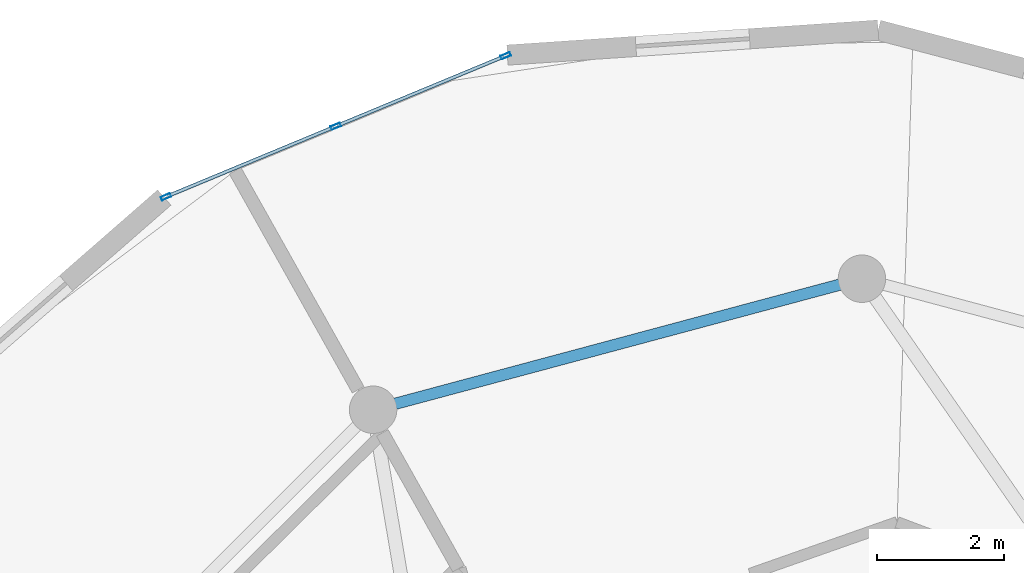
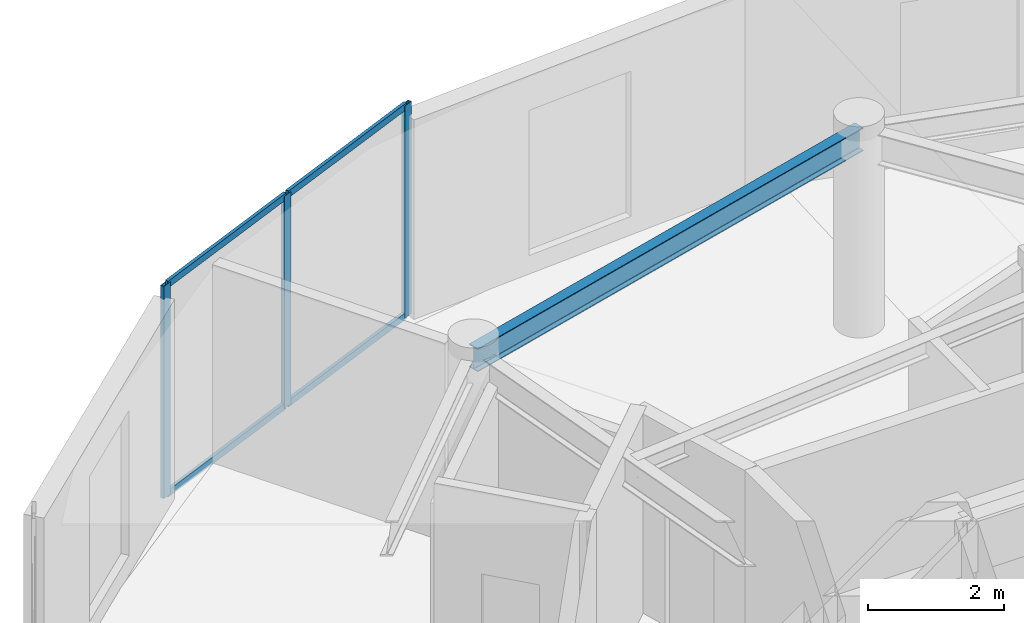
# One storey, part 14 of 22: 7 members, 1 beam, 1 element without a shape of its own.
"""IFC4 building model written with IfcOpenShell, lengths in metres."""

from ifc_helpers import new_model, si_unit, direction, frame, origin, origin_2d, place, context, subcontext, project, spatial, hollow_rectangle, i_section, extrude, source, transform, mapped, material, layer, layer_set, material_profile, profile_set, type_object, element, aggregate, save


model = new_model("IFC4")

# Units and contexts
model_context = context("Model", 3, precision=1e-05, world=origin(), true_north=direction((0.0, 1.0)))
body_context = subcontext(model_context, "Body", "Model", "MODEL_VIEW")
ifc_project = project(units=[si_unit("LENGTHUNIT", "METRE"), si_unit("AREAUNIT", "SQUARE_METRE"), si_unit("VOLUMEUNIT", "CUBIC_METRE"), si_unit("PLANEANGLEUNIT", "RADIAN"), si_unit("MASSUNIT", "GRAM", prefix="KILO")], contexts=[model_context])

# Site, building, storey
site_placement = place(None, origin())
site = spatial("IfcSite", under=ifc_project, at=site_placement, CompositionType="ELEMENT")
building_placement = place(site_placement, origin())
building = spatial("IfcBuilding", under=site, at=building_placement, Name="Solvirekh Grand Hotel", CompositionType="ELEMENT")
storey_placement = place(building_placement, frame((0.0, 0.0, 239.199951171875)))
storey = spatial("IfcBuildingStorey", under=building, at=storey_placement, Name="L62", CompositionType="ELEMENT", Elevation=239.199951171875)

# Beam
ifc_material_1 = material(Name="Steel S355", Category="steel")
ifc_material_profile_1 = material_profile(ifc_material_1, i_section(OverallWidth=0.180908203125, OverallDepth=0.4169921875, WebThickness=0.010009765625, FlangeThickness=0.01611328125, FilletRadius=0.011962890625, at=origin_2d()), Name="W410X85")
ifc_profile_set_1 = profile_set([ifc_material_profile_1], Name="Steel S355")
beam_type = type_object("IfcBeamType", Name="Spandrel_Ring_W410", PredefinedType="SPANDREL", material=ifc_profile_set_1)
beam_placement = place(storey_placement, frame((0.0, 15.449951171875, 3.362060546875), z_axis=(-0.965921616143, -0.258834757072, 0.0), x_axis=(0.258834757072, -0.965921616143, 0.0)))
element("IfcBeam", 1, at=beam_placement, inside=storey, type_object=beam_type, Name="L62 perimeter spandrel beam 4", PredefinedType="SPANDREL", context=body_context, shape_type="SweptSolid", body=[
    extrude(i_section(OverallWidth=0.180908203125, OverallDepth=0.4169921875, WebThickness=0.010009765625, FlangeThickness=0.01611328125, FilletRadius=0.011962890625, at=origin_2d()), origin(), (0.0, 0.0, 1.0), 7.99755859375),
])

# Curtain wall, members
ifc_material_2 = material(Name="Anodized Bronze Aluminium 6063-T6", Category="aluminium")
ifc_layer = layer(ifc_material_2, 0.159912109375)
ifc_layer_set = layer_set([ifc_layer], Name="Anodized Bronze Aluminium 6063-T6")
curtain_wall_type = type_object("IfcCurtainWallType", Name="CW_Sys4_HighZoneFlushBronzeCW", PredefinedType="NOTDEFINED", material=ifc_layer_set)
curtain_wall_placement = place(storey_placement, origin())
curtain_wall = element("IfcCurtainWall", 2, at=curtain_wall_placement, inside=storey, type_object=curtain_wall_type, Name="L62 unitised bronze-glass curtain wall CW-L62-C11", PredefinedType="NOTDEFINED")
ifc_material_profile_2 = material_profile(ifc_material_2, hollow_rectangle(XDim=0.06005859375, YDim=0.159912109375, WallThickness=0.0048828125, at=origin_2d()), Name="ALU RHS 160X60X5")
ifc_profile_set_2 = profile_set([ifc_material_profile_2], Name="Anodized Bronze Aluminium 6063-T6")
member_type_1 = type_object("IfcMemberType", Name="CWMullion_Sys4", PredefinedType="MULLION", material=ifc_profile_set_2)
shared_shape_1 = source(origin(), body_context, "Body", "SweptSolid", [
    extrude(hollow_rectangle(XDim=0.06005859375, YDim=0.159912109375, WallThickness=0.0048828125, at=origin_2d()), origin(), (0.0, 0.0, 1.0), 3.800048828125),
])
member_1_placement = place(storey_placement, frame((-5.630615234375, 18.973388671875, 0.0), z_axis=(0.0, 0.0, 1.0), x_axis=(0.383514713871, -0.923534766126, 0.0)))
member_1 = element("IfcMember", 3, at=member_1_placement, type_object=member_type_1, Name="U04 mullion 1", PredefinedType="MULLION", context=body_context, shape_type="MappedRepresentation", body=[
    mapped(shared_shape_1, transform((0.0, 0.0, 0.0), x_axis=(1.0, 0.0, 0.0), y_axis=(0.0, 1.0, 0.0), z_axis=(0.0, 0.0, 1.0), scale=1.0)),
])
member_2_placement = place(storey_placement, frame((-8.314453125, 17.85888671875, 0.0), z_axis=(0.0, 0.0, 1.0), x_axis=(0.383514713871, -0.923534766126, 0.0)))
member_2 = element("IfcMember", 4, at=member_2_placement, type_object=member_type_1, Name="U04 mullion 2", PredefinedType="MULLION", context=body_context, shape_type="MappedRepresentation", body=[
    mapped(shared_shape_1, transform((0.0, 0.0, 0.0), x_axis=(1.0, 0.0, 0.0), y_axis=(0.0, 1.0, 0.0), z_axis=(0.0, 0.0, 1.0), scale=1.0)),
])
member_3_placement = place(storey_placement, frame((-10.998291015625, 16.744384765625, 0.0), z_axis=(0.0, 0.0, 1.0), x_axis=(0.383514713871, -0.923534766126, 0.0)))
member_3 = element("IfcMember", 5, at=member_3_placement, type_object=member_type_1, Name="U04 mullion 3", PredefinedType="MULLION", context=body_context, shape_type="MappedRepresentation", body=[
    mapped(shared_shape_1, transform((0.0, 0.0, 0.0), x_axis=(1.0, 0.0, 0.0), y_axis=(0.0, 1.0, 0.0), z_axis=(0.0, 0.0, 1.0), scale=1.0)),
])
ifc_material_profile_3 = material_profile(ifc_material_2, hollow_rectangle(XDim=0.054931640625, YDim=0.1201171875, WallThickness=0.00390625, at=origin_2d()), Name="ALU RHS 120X55X4")
ifc_profile_set_3 = profile_set([ifc_material_profile_3], Name="Anodized Bronze Aluminium 6063-T6")
member_type_2 = type_object("IfcMemberType", Name="CWTransom_Sys4", PredefinedType="USERDEFINED", material=ifc_profile_set_3)
shared_shape_2 = source(origin(), body_context, "Body", "SweptSolid", [
    extrude(hollow_rectangle(XDim=0.054931640625, YDim=0.1201171875, WallThickness=0.00390625, at=origin_2d()), origin(), (0.0, 0.0, 1.0), 2.845947265625),
])
member_4_placement = place(storey_placement, frame((-5.658447265625, 18.9619140625, 0.027587890625), z_axis=(-0.923558419422, -0.383457749844, 0.0), x_axis=(0.383457749844, -0.923558419422, 0.0)))
member_4 = element("IfcMember", 6, at=member_4_placement, type_object=member_type_2, Name="U04 transom 1.1", ObjectType="TRANSOM", PredefinedType="USERDEFINED", context=body_context, shape_type="MappedRepresentation", body=[
    mapped(shared_shape_2, transform((0.0, 0.0, 0.0), x_axis=(1.0, 0.0, 0.0), y_axis=(0.0, 1.0, 0.0), z_axis=(0.0, 0.0, 1.0), scale=1.0)),
])
member_5_placement = place(storey_placement, frame((-5.658447265625, 18.9619140625, 3.7724609375), z_axis=(-0.923558419422, -0.383457749844, 0.0), x_axis=(0.383457749844, -0.923558419422, 0.0)))
member_5 = element("IfcMember", 7, at=member_5_placement, type_object=member_type_2, Name="U04 transom 1.2", ObjectType="TRANSOM", PredefinedType="USERDEFINED", context=body_context, shape_type="MappedRepresentation", body=[
    mapped(shared_shape_2, transform((0.0, 0.0, 0.0), x_axis=(1.0, 0.0, 0.0), y_axis=(0.0, 1.0, 0.0), z_axis=(0.0, 0.0, 1.0), scale=1.0)),
])
member_6_placement = place(storey_placement, frame((-8.34228515625, 17.847412109375, 0.027587890625), z_axis=(-0.923558419422, -0.383457749844, 0.0), x_axis=(0.383457749844, -0.923558419422, 0.0)))
member_6 = element("IfcMember", 8, at=member_6_placement, type_object=member_type_2, Name="U04 transom 2.1", ObjectType="TRANSOM", PredefinedType="USERDEFINED", context=body_context, shape_type="MappedRepresentation", body=[
    mapped(shared_shape_2, transform((0.0, 0.0, 0.0), x_axis=(1.0, 0.0, 0.0), y_axis=(0.0, 1.0, 0.0), z_axis=(0.0, 0.0, 1.0), scale=1.0)),
])
member_7_placement = place(storey_placement, frame((-8.34228515625, 17.847412109375, 3.7724609375), z_axis=(-0.923558419422, -0.383457749844, 0.0), x_axis=(0.383457749844, -0.923558419422, 0.0)))
member_7 = element("IfcMember", 9, at=member_7_placement, type_object=member_type_2, Name="U04 transom 2.2", ObjectType="TRANSOM", PredefinedType="USERDEFINED", context=body_context, shape_type="MappedRepresentation", body=[
    mapped(shared_shape_2, transform((0.0, 0.0, 0.0), x_axis=(1.0, 0.0, 0.0), y_axis=(0.0, 1.0, 0.0), z_axis=(0.0, 0.0, 1.0), scale=1.0)),
])
aggregate(curtain_wall, [member_1, member_2, member_3, member_4, member_5, member_6, member_7])

save(model, "model.ifc")
